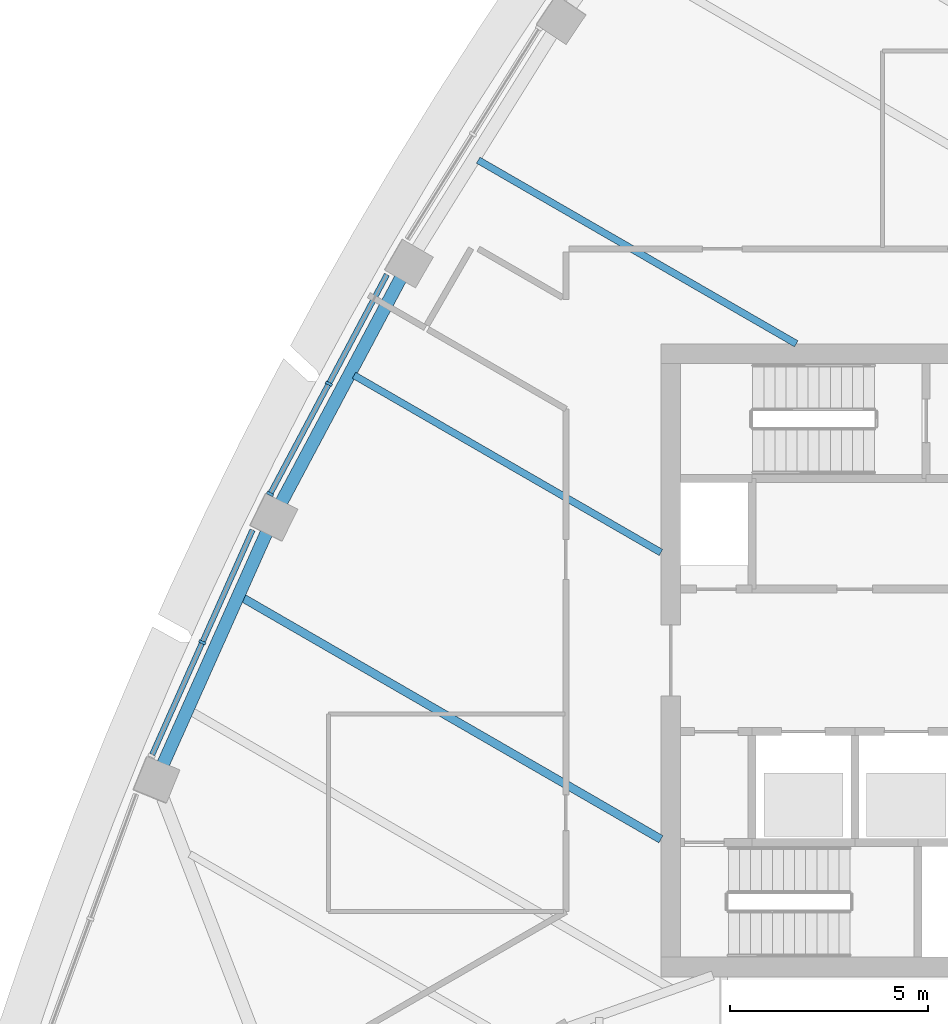
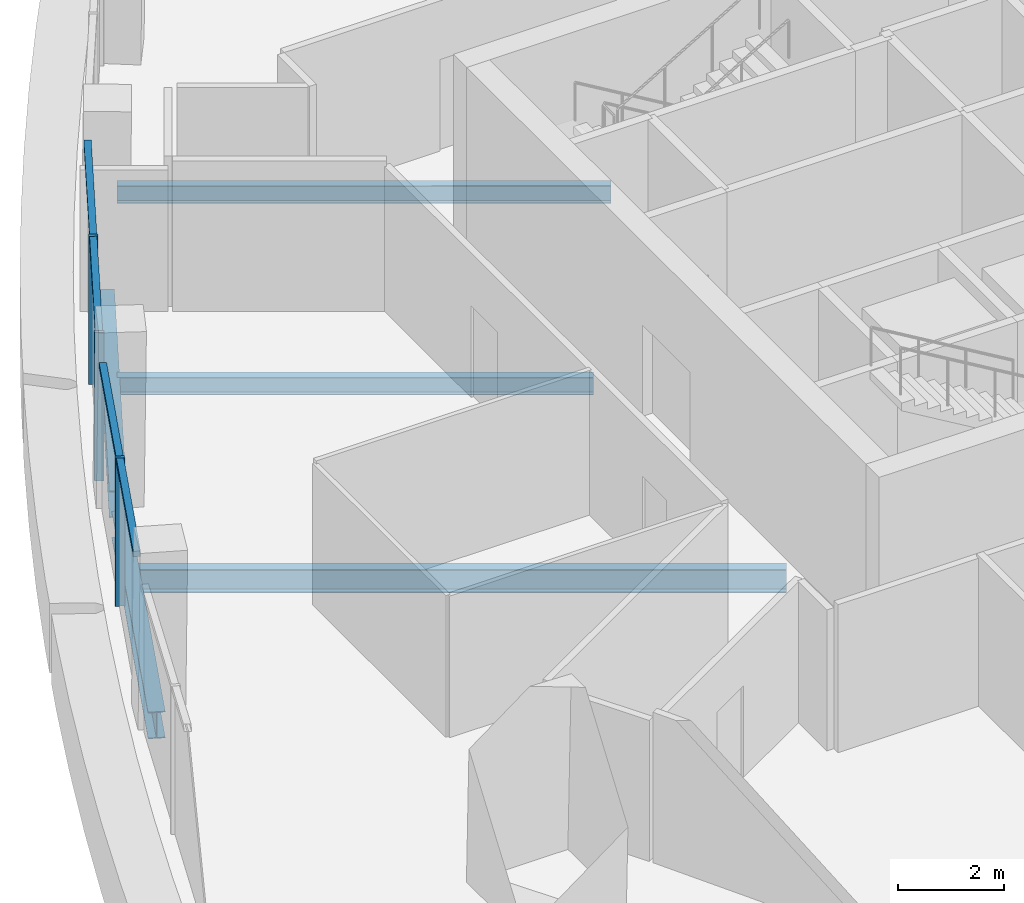
# One storey, part 3 of 15: 7 members, 5 beams, 2 elements without a shape of their own.
"""IFC4 building model written with IfcOpenShell, lengths in metres."""

from ifc_helpers import new_model, si_unit, direction, frame, origin, origin_2d, place, context, subcontext, project, spatial, rectangle, i_section, extrude, material, layer, layer_set, material_profile, profile_set, type_object, element, aggregate, save


model = new_model("IFC4")

# Units and contexts
model_context = context("Model", 3, precision=1e-05, world=origin(), true_north=direction((0.0, 1.0)))
body_context = subcontext(model_context, "Body", "Model", "MODEL_VIEW")
ifc_project = project(units=[si_unit("LENGTHUNIT", "METRE"), si_unit("AREAUNIT", "SQUARE_METRE"), si_unit("VOLUMEUNIT", "CUBIC_METRE"), si_unit("PLANEANGLEUNIT", "RADIAN"), si_unit("MASSUNIT", "GRAM", prefix="KILO")], contexts=[model_context])

# Site, building, storey
site_placement = place(None, origin())
site = spatial("IfcSite", under=ifc_project, at=site_placement, CompositionType="ELEMENT")
building_placement = place(site_placement, origin())
building = spatial("IfcBuilding", under=site, at=building_placement, Name="Sierra Prisma Convention Tower", CompositionType="ELEMENT")
storey_placement = place(building_placement, frame((0.0, 0.0, 299.0)))
storey = spatial("IfcBuildingStorey", under=building, at=storey_placement, Name="L68", CompositionType="ELEMENT", Elevation=299.0)

# Curtain wall, members
ifc_material_1 = material(Name="Aluminium and glass curtain wall", Category="aluminium")
ifc_layer = layer(ifc_material_1, 0.179931640625)
ifc_layer_set = layer_set([ifc_layer], Name="CW-1 Plain shaft curtain wall")
curtain_wall_type = type_object("IfcCurtainWallType", Name="CW-1 Plain shaft curtain wall", PredefinedType="NOTDEFINED", material=ifc_layer_set)
curtain_wall_1_placement = place(storey_placement, origin())
curtain_wall_1 = element("IfcCurtainWall", 1, at=curtain_wall_1_placement, inside=storey, type_object=curtain_wall_type, Name="CW-1 NW4 L68", PredefinedType="NOTDEFINED")
ifc_material_2 = material(Name="Aluminium 6063-T6 bronze anodised", Category="aluminium")
ifc_material_profile_1 = material_profile(ifc_material_2, rectangle(XDim=0.179931640625, YDim=0.070068359375, at=origin_2d()), Name="ALU MULLION 70x180")
ifc_profile_set_1 = profile_set([ifc_material_profile_1], Name="Aluminium 6063-T6 bronze anodised")
member_type_1 = type_object("IfcMemberType", Name="CW mullion bronze", PredefinedType="MULLION", material=ifc_profile_set_1)
member_1_placement = place(storey_placement, frame((-19.391845703125, 6.99267578125, 0.0), z_axis=(0.0, 0.0, 1.0), x_axis=(0.882736010485, -0.469869275217, 0.0)))
member_1 = element("IfcMember", 2, at=member_1_placement, type_object=member_type_1, Name="CW-1 mullion NW4.2", PredefinedType="MULLION", context=body_context, shape_type="SweptSolid", body=[
    extrude(rectangle(XDim=0.179931640625, YDim=0.070068359375, at=origin_2d()), origin(), (0.0, 0.0, 1.0), 3.39990234375),
])
member_2_placement = place(storey_placement, frame((-20.87548828125, 4.20556640625, 0.0), z_axis=(0.0, 0.0, 1.0), x_axis=(0.882736010485, -0.469869275217, 0.0)))
member_2 = element("IfcMember", 3, at=member_2_placement, type_object=member_type_1, Name="CW-1 mullion NW4.3", PredefinedType="MULLION", context=body_context, shape_type="SweptSolid", body=[
    extrude(rectangle(XDim=0.179931640625, YDim=0.070068359375, at=origin_2d()), origin(), (0.0, 0.0, 1.0), 3.39990234375),
])

# Curtain wall, member
curtain_wall_2_placement = place(storey_placement, origin())
curtain_wall_2 = element("IfcCurtainWall", 4, at=curtain_wall_2_placement, inside=storey, type_object=curtain_wall_type, Name="CW-1 NW5 L68", PredefinedType="NOTDEFINED")
member_3_placement = place(storey_placement, frame((-22.588623046875, 0.455810546875, 0.0), z_axis=(0.0, 0.0, 1.0), x_axis=(0.912994929748, -0.407970903686, 0.0)))
member_3 = element("IfcMember", 5, at=member_3_placement, type_object=member_type_1, Name="CW-1 mullion NW5.2", PredefinedType="MULLION", context=body_context, shape_type="SweptSolid", body=[
    extrude(rectangle(XDim=0.179931640625, YDim=0.070068359375, at=origin_2d()), origin(), (0.0, 0.0, 1.0), 3.39990234375),
])

# Member
ifc_material_3 = material(Name="Aluminium 6063-T6 bronze anodised", Category="aluminium")
ifc_material_profile_2 = material_profile(ifc_material_3, rectangle(XDim=0.139892578125, YDim=0.1201171875, at=origin_2d()), Name="ALU TRANSOM 120x140")
ifc_profile_set_2 = profile_set([ifc_material_profile_2], Name="Aluminium 6063-T6 bronze anodised")
member_type_2 = type_object("IfcMemberType", Name="CW transom bronze", PredefinedType="USERDEFINED", material=ifc_profile_set_2)
member_4_placement = place(storey_placement, frame((-17.9248046875, 9.748779296875, 3.340087890625), z_axis=(-0.469873927992, -0.882733533856, 0.0), x_axis=(0.882733533856, -0.469873927992, 0.0)))
member_4 = element("IfcMember", 6, at=member_4_placement, type_object=member_type_2, Name="CW-1 transom NW4.1", ObjectType="TRANSOM", PredefinedType="USERDEFINED", context=body_context, shape_type="SweptSolid", body=[
    extrude(rectangle(XDim=0.139892578125, YDim=0.1201171875, at=origin_2d()), origin(), (0.0, 0.0, 1.0), 3.08740234375),
])

member_5_placement = place(storey_placement, frame((-19.408447265625, 6.961669921875, 3.340087890625), z_axis=(-0.469906728887, -0.882716073348, 0.0), x_axis=(0.882716073348, -0.469906728887, 0.0)))
member_5 = element("IfcMember", 7, at=member_5_placement, type_object=member_type_2, Name="CW-1 transom NW4.2", ObjectType="TRANSOM", PredefinedType="USERDEFINED", context=body_context, shape_type="SweptSolid", body=[
    extrude(rectangle(XDim=0.139892578125, YDim=0.1201171875, at=origin_2d()), origin(), (0.0, 0.0, 1.0), 3.087158203125),
])

aggregate(curtain_wall_1, [member_1, member_2, member_4, member_5])

member_6_placement = place(storey_placement, frame((-21.321044921875, 3.2919921875, 3.340087890625), z_axis=(-0.408003500321, -0.912980363275, 0.0), x_axis=(0.912980363275, -0.408003500321, 0.0)))
member_6 = element("IfcMember", 8, at=member_6_placement, type_object=member_type_2, Name="CW-1 transom NW5.1", ObjectType="TRANSOM", PredefinedType="USERDEFINED", context=body_context, shape_type="SweptSolid", body=[
    extrude(rectangle(XDim=0.139892578125, YDim=0.1201171875, at=origin_2d()), origin(), (0.0, 0.0, 1.0), 3.071533203125),
])

member_7_placement = place(storey_placement, frame((-22.602783203125, 0.423828125, 3.340087890625), z_axis=(-0.408003500321, -0.912980363275, 0.0), x_axis=(0.912980363275, -0.408003500321, 0.0)))
member_7 = element("IfcMember", 9, at=member_7_placement, type_object=member_type_2, Name="CW-1 transom NW5.2", ObjectType="TRANSOM", PredefinedType="USERDEFINED", context=body_context, shape_type="SweptSolid", body=[
    extrude(rectangle(XDim=0.139892578125, YDim=0.1201171875, at=origin_2d()), origin(), (0.0, 0.0, 1.0), 3.071533203125),
])

aggregate(curtain_wall_2, [member_3, member_6, member_7])

# Beams
ifc_material_4 = material(Name="Steel ASTM A992 Gr 50", Category="steel")
ifc_material_profile_3 = material_profile(ifc_material_4, i_section(OverallWidth=0.177978515625, OverallDepth=0.406982421875, WebThickness=0.0078125, FlangeThickness=0.0126953125, at=origin_2d()), Name="W410x60")
ifc_profile_set_3 = profile_set([ifc_material_profile_3], Name="Steel ASTM A992 Gr 50")
beam_type_1 = type_object("IfcBeamType", Name="Floor joist W410x60", PredefinedType="JOIST", material=ifc_profile_set_3)
beam_1_placement = place(storey_placement, frame((-15.616943359375, 12.640380859375, -0.353515625), z_axis=(0.866031390212, -0.49998963106, 0.0), x_axis=(0.49998963106, 0.866031390212, 0.0)))
element("IfcBeam", 10, at=beam_1_placement, inside=storey, type_object=beam_type_1, Name="Floor joist L68 NW06", PredefinedType="JOIST", context=body_context, shape_type="SweptSolid", body=[
    extrude(i_section(OverallWidth=0.177978515625, OverallDepth=0.406982421875, WebThickness=0.0078125, FlangeThickness=0.0126953125, at=origin_2d()), origin(), (0.0, 0.0, 1.0), 9.281005859375),
])
beam_2_placement = place(storey_placement, frame((-18.75537109375, 7.20458984375, -0.353515625), z_axis=(0.86601488128, -0.500018225069, 0.0), x_axis=(0.500018225069, 0.86601488128, 0.0)))
element("IfcBeam", 11, at=beam_2_placement, inside=storey, type_object=beam_type_1, Name="Floor joist L68 NW08", PredefinedType="JOIST", context=body_context, shape_type="SweptSolid", body=[
    extrude(i_section(OverallWidth=0.177978515625, OverallDepth=0.406982421875, WebThickness=0.0078125, FlangeThickness=0.0126953125, at=origin_2d()), origin(), (0.0, 0.0, 1.0), 8.955322265625),
])
ifc_material_5 = material(Name="Steel ASTM A992 Gr 50", Category="steel")
ifc_material_profile_4 = material_profile(ifc_material_5, i_section(OverallWidth=0.208984375, OverallDepth=0.532958984375, WebThickness=0.01025390625, FlangeThickness=0.015625, at=origin_2d()), Name="W530x92")
ifc_profile_set_4 = profile_set([ifc_material_profile_4], Name="Steel ASTM A992 Gr 50")
beam_type_2 = type_object("IfcBeamType", Name="Floor joist W530x92", PredefinedType="JOIST", material=ifc_profile_set_4)
beam_3_placement = place(storey_placement, frame((-21.5771484375, 1.58544921875, -0.41650390625), z_axis=(0.866026468976, -0.499998155029, 0.0), x_axis=(0.499998155029, 0.866026468976, 0.0)))
element("IfcBeam", 12, at=beam_3_placement, inside=storey, type_object=beam_type_2, Name="Floor joist L68 NW10", PredefinedType="JOIST", context=body_context, shape_type="SweptSolid", body=[
    extrude(i_section(OverallWidth=0.208984375, OverallDepth=0.532958984375, WebThickness=0.01025390625, FlangeThickness=0.015625, at=origin_2d()), origin(), (0.0, 0.0, 1.0), 12.21337890625),
])
ifc_material_6 = material(Name="Steel ASTM A992 Gr 50", Category="steel")
ifc_material_profile_5 = material_profile(ifc_material_6, i_section(OverallWidth=0.324951171875, OverallDepth=0.615966796875, WebThickness=0.013916015625, FlangeThickness=0.021484375, at=origin_2d()), Name="W610x174")
ifc_profile_set_5 = profile_set([ifc_material_profile_5], Name="Steel ASTM A992 Gr 50")
beam_type_3 = type_object("IfcBeamType", Name="Spandrel beam W610x174", PredefinedType="BEAM", material=ifc_profile_set_5)
beam_4_placement = place(storey_placement, frame((-17.532470703125, 9.741455078125, -0.4580078125), z_axis=(-0.469871355842, -0.882734902991, 0.0), x_axis=(0.882734902991, -0.469871355842, 0.0)))
element("IfcBeam", 13, at=beam_4_placement, inside=storey, type_object=beam_type_3, Name="Spandrel L68-16", PredefinedType="BEAM", context=body_context, shape_type="SweptSolid", body=[
    extrude(i_section(OverallWidth=0.324951171875, OverallDepth=0.615966796875, WebThickness=0.013916015625, FlangeThickness=0.021484375, at=origin_2d()), origin(), (0.0, 0.0, 1.0), 6.6123046875),
])
beam_5_placement = place(storey_placement, frame((-20.929443359375, 3.3115234375, -0.4580078125), z_axis=(-0.4079773903, -0.912992031183, 0.0), x_axis=(0.912992031183, -0.4079773903, 0.0)))
element("IfcBeam", 14, at=beam_5_placement, inside=storey, type_object=beam_type_3, Name="Spandrel L68-17", PredefinedType="BEAM", context=body_context, shape_type="SweptSolid", body=[
    extrude(i_section(OverallWidth=0.324951171875, OverallDepth=0.615966796875, WebThickness=0.013916015625, FlangeThickness=0.021484375, at=origin_2d()), origin(), (0.0, 0.0, 1.0), 6.61181640625),
])

save(model, "model.ifc")
